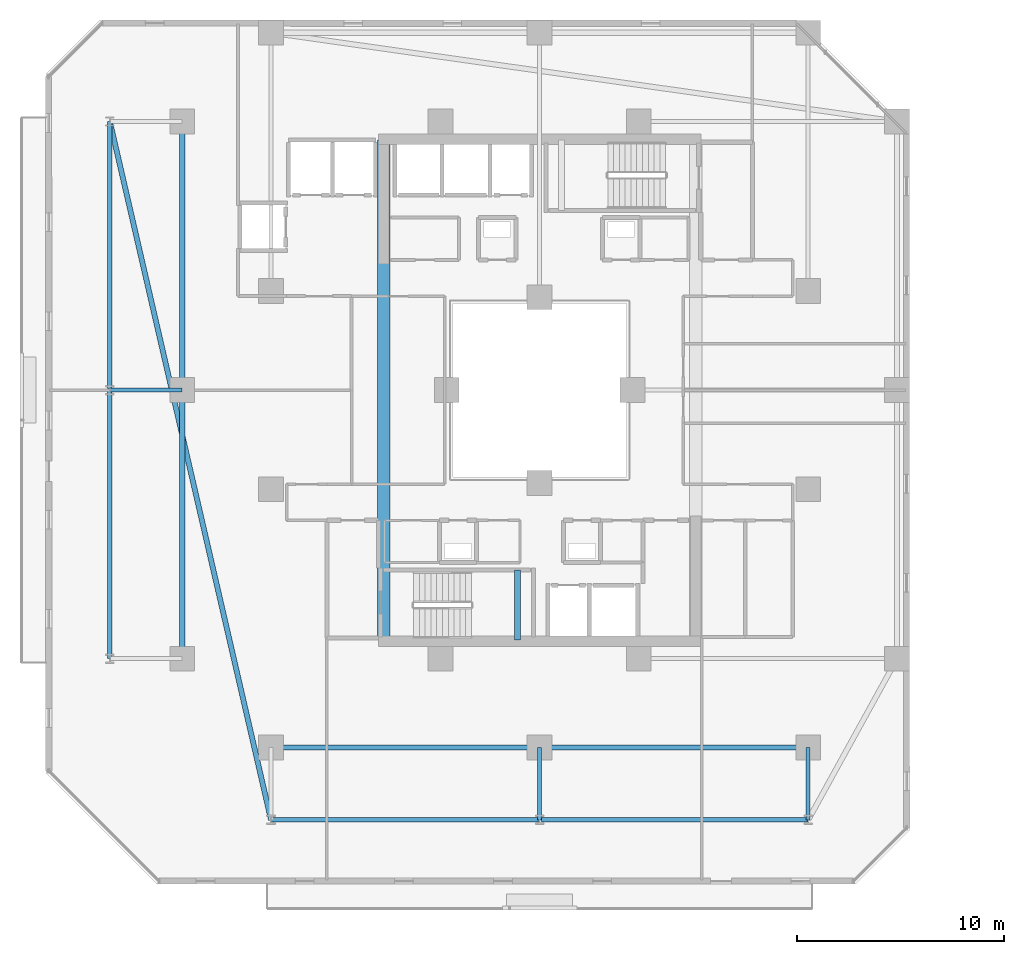
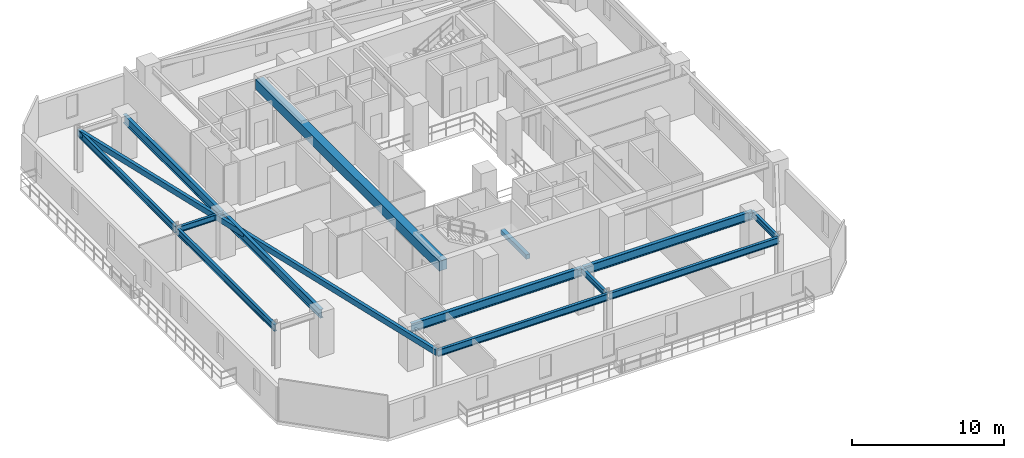
# One storey, part 4 of 33: 14 beams.
"""IFC4 building model written with IfcOpenShell, lengths in metres."""

from ifc_helpers import new_model, si_unit, direction, frame, origin, origin_2d, place, context, subcontext, project, spatial, rectangle, hollow_rectangle, i_section, extrude, material, material_profile, profile_set, type_object, element, save


model = new_model("IFC4")

# Units and contexts
model_context = context("Model", 3, precision=1e-05, world=origin(), true_north=direction((0.0, 1.0)))
body_context = subcontext(model_context, "Body", "Model", "MODEL_VIEW")
ifc_project = project(units=[si_unit("LENGTHUNIT", "METRE"), si_unit("AREAUNIT", "SQUARE_METRE"), si_unit("VOLUMEUNIT", "CUBIC_METRE"), si_unit("PLANEANGLEUNIT", "RADIAN"), si_unit("MASSUNIT", "GRAM", prefix="KILO")], contexts=[model_context])

# Site, building, storey
site_placement = place(None, origin())
site = spatial("IfcSite", under=ifc_project, at=site_placement, CompositionType="ELEMENT")
building_placement = place(site_placement, origin())
building = spatial("IfcBuilding", under=site, at=building_placement, Name="Thornwick Lancets Civic Towers", CompositionType="ELEMENT")
storey_placement = place(building_placement, frame((0.0, 0.0, 130.5)))
storey = spatial("IfcBuildingStorey", under=building, at=storey_placement, Name="L34", CompositionType="ELEMENT", Elevation=130.5)

# Beams
ifc_material_1 = material(Name="Concrete C60/75", Category="concrete")
ifc_material_profile_1 = material_profile(ifc_material_1, rectangle(XDim=0.60009765625, YDim=0.800048828125, at=origin_2d()), Name="RC 600x800")
ifc_profile_set_1 = profile_set([ifc_material_profile_1], Name="Concrete C60/75")
beam_type_1 = type_object("IfcBeamType", Name="BM_COUP_RC800", PredefinedType="BEAM", material=ifc_profile_set_1)
beam_1_placement = place(storey_placement, frame((17.949951171875, 14.89990234375, 2.9599609375), z_axis=(0.0, 1.0, 0.0), x_axis=(-1.0, 0.0, 0.0)))
element("IfcBeam", 1, at=beam_1_placement, inside=storey, type_object=beam_type_1, Name="CB-L34-A2", PredefinedType="BEAM", context=body_context, shape_type="SweptSolid", body=[
    extrude(rectangle(XDim=0.60009765625, YDim=0.800048828125, at=origin_2d()), origin(), (0.0, 0.0, 1.0), 24.2001953125),
])
ifc_material_2 = material(Name="Steel S355JR", Category="steel")
ifc_material_profile_2 = material_profile(ifc_material_2, i_section(OverallWidth=0.2119140625, OverallDepth=0.54443359375, WebThickness=0.0126953125, FlangeThickness=0.021240234375, FilletRadius=0.0126953125, at=origin_2d()), Name="UKB 533x210x122")
ifc_profile_set_2 = profile_set([ifc_material_profile_2], Name="Steel S355JR")
beam_type_2 = type_object("IfcBeamType", Name="BM_EDGE_533_122", PredefinedType="SPANDREL", material=ifc_profile_set_2)
beam_2_placement = place(storey_placement, frame((12.5, 6.199951171875, 3.087646484375), z_axis=(1.0, 0.0, 0.0), x_axis=(0.0, 1.0, 0.0)))
element("IfcBeam", 2, at=beam_2_placement, inside=storey, type_object=beam_type_2, Name="BM-EDGE-L34-A-S0-1", PredefinedType="SPANDREL", context=body_context, shape_type="SweptSolid", body=[
    extrude(i_section(OverallWidth=0.2119140625, OverallDepth=0.54443359375, WebThickness=0.0126953125, FlangeThickness=0.021240234375, FilletRadius=0.0126953125, at=origin_2d()), origin(), (0.0, 0.0, 1.0), 13.0),
])
beam_3_placement = place(storey_placement, frame((25.580078125, 6.199951171875, 3.087646484375), z_axis=(1.0, 0.0, 0.0), x_axis=(0.0, 1.0, 0.0)))
element("IfcBeam", 3, at=beam_3_placement, inside=storey, type_object=beam_type_2, Name="BM-EDGE-L34-A-S0-2", PredefinedType="SPANDREL", context=body_context, shape_type="SweptSolid", body=[
    extrude(i_section(OverallWidth=0.2119140625, OverallDepth=0.54443359375, WebThickness=0.0126953125, FlangeThickness=0.021240234375, FilletRadius=0.0126953125, at=origin_2d()), origin(), (0.0, 0.0, 1.0), 12.919921875),
])
beam_4_placement = place(storey_placement, frame((4.699951171875, 14.0, 3.087646484375), z_axis=(0.0, 1.0, 0.0), x_axis=(-1.0, 0.0, 0.0)))
element("IfcBeam", 4, at=beam_4_placement, inside=storey, type_object=beam_type_2, Name="BM-EDGE-L34-A-S3-1", PredefinedType="SPANDREL", context=body_context, shape_type="SweptSolid", body=[
    extrude(i_section(OverallWidth=0.2119140625, OverallDepth=0.54443359375, WebThickness=0.0126953125, FlangeThickness=0.021240234375, FilletRadius=0.0126953125, at=origin_2d()), origin(), (0.0, 0.0, 1.0), 13.0),
])
beam_5_placement = place(storey_placement, frame((4.699951171875, 27.080078125, 3.087646484375), z_axis=(0.0, 1.0, 0.0), x_axis=(-1.0, 0.0, 0.0)))
element("IfcBeam", 5, at=beam_5_placement, inside=storey, type_object=beam_type_2, Name="BM-EDGE-L34-A-S3-2", PredefinedType="SPANDREL", context=body_context, shape_type="SweptSolid", body=[
    extrude(i_section(OverallWidth=0.2119140625, OverallDepth=0.54443359375, WebThickness=0.0126953125, FlangeThickness=0.021240234375, FilletRadius=0.0126953125, at=origin_2d()), origin(), (0.0, 0.0, 1.0), 12.919921875),
])
ifc_material_profile_3 = material_profile(ifc_material_2, i_section(OverallWidth=0.255859375, OverallDepth=0.69287109375, WebThickness=0.014404296875, FlangeThickness=0.023681640625, FilletRadius=0.01513671875, at=origin_2d()), Name="UKB 686x254x170")
ifc_profile_set_3 = profile_set([ifc_material_profile_3], Name="Steel S355JR")
beam_type_3 = type_object("IfcBeamType", Name="BM_GIRD_686_170", PredefinedType="BEAM", material=ifc_profile_set_3)
beam_6_placement = place(storey_placement, frame((12.5, 9.699951171875, 3.013671875), z_axis=(1.0, 0.0, 0.0), x_axis=(0.0, 1.0, 0.0)))
element("IfcBeam", 6, at=beam_6_placement, inside=storey, type_object=beam_type_3, Name="BM-SPINE-L34-A-0-1", PredefinedType="BEAM", context=body_context, shape_type="SweptSolid", body=[
    extrude(i_section(OverallWidth=0.255859375, OverallDepth=0.69287109375, WebThickness=0.014404296875, FlangeThickness=0.023681640625, FilletRadius=0.01513671875, at=origin_2d()), origin(), (0.0, 0.0, 1.0), 13.0),
])
beam_7_placement = place(storey_placement, frame((25.580078125, 9.699951171875, 3.013671875), z_axis=(1.0, 0.0, 0.0), x_axis=(0.0, 1.0, 0.0)))
element("IfcBeam", 7, at=beam_7_placement, inside=storey, type_object=beam_type_3, Name="BM-SPINE-L34-A-1-2", PredefinedType="BEAM", context=body_context, shape_type="SweptSolid", body=[
    extrude(i_section(OverallWidth=0.255859375, OverallDepth=0.69287109375, WebThickness=0.014404296875, FlangeThickness=0.023681640625, FilletRadius=0.01513671875, at=origin_2d()), origin(), (0.0, 0.0, 1.0), 12.919921875),
])
beam_8_placement = place(storey_placement, frame((8.199951171875, 14.0, 3.013671875), z_axis=(0.0, 1.0, 0.0), x_axis=(-1.0, 0.0, 0.0)))
element("IfcBeam", 8, at=beam_8_placement, inside=storey, type_object=beam_type_3, Name="BM-SPINE-L34-A-9-10", PredefinedType="BEAM", context=body_context, shape_type="SweptSolid", body=[
    extrude(i_section(OverallWidth=0.255859375, OverallDepth=0.69287109375, WebThickness=0.014404296875, FlangeThickness=0.023681640625, FilletRadius=0.01513671875, at=origin_2d()), origin(), (0.0, 0.0, 1.0), 13.0),
])
beam_9_placement = place(storey_placement, frame((8.199951171875, 27.080078125, 3.013671875), z_axis=(0.0, 1.0, 0.0), x_axis=(-1.0, 0.0, 0.0)))
element("IfcBeam", 9, at=beam_9_placement, inside=storey, type_object=beam_type_3, Name="BM-SPINE-L34-A-10-11", PredefinedType="BEAM", context=body_context, shape_type="SweptSolid", body=[
    extrude(i_section(OverallWidth=0.255859375, OverallDepth=0.69287109375, WebThickness=0.014404296875, FlangeThickness=0.023681640625, FilletRadius=0.01513671875, at=origin_2d()), origin(), (0.0, 0.0, 1.0), 12.919921875),
])
ifc_material_profile_4 = material_profile(ifc_material_2, i_section(OverallWidth=0.19287109375, OverallDepth=0.46728515625, WebThickness=0.011474609375, FlangeThickness=0.01953125, FilletRadius=0.01025390625, at=origin_2d()), Name="UKB 457x191x98")
ifc_profile_set_4 = profile_set([ifc_material_profile_4], Name="Steel S355JR")
beam_type_4 = type_object("IfcBeamType", Name="BM_JOIST_457_98", PredefinedType="JOIST", material=ifc_profile_set_4)
for number, where, z_axis, x_axis, name in (
    (10, (25.5, 9.699951171875, 3.12646484375), (0.0, -1.0, 0.0), (1.0, 0.0, 0.0), "BM-RAD-L34-A02"),
    (11, (38.5, 9.699951171875, 3.12646484375), (0.0, -1.0, 0.0), (1.0, 0.0, 0.0), "BM-RAD-L34-A03"),
    (12, (8.199951171875, 27.0, 3.12646484375), (-1.0, 0.0, 0.0), (0.0, -1.0, 0.0), "BM-RAD-L34-A11"),
):
    element("IfcBeam", number, at=place(storey_placement, frame(where, z_axis=z_axis, x_axis=x_axis)), inside=storey, type_object=beam_type_4, Name=name, PredefinedType="JOIST", context=body_context, shape_type="SweptSolid", body=[
        extrude(i_section(OverallWidth=0.19287109375, OverallDepth=0.46728515625, WebThickness=0.011474609375, FlangeThickness=0.01953125, FilletRadius=0.01025390625, at=origin_2d()), origin(), (0.0, 0.0, 1.0), 3.5),
    ])
ifc_material_profile_5 = material_profile(ifc_material_2, hollow_rectangle(XDim=0.25, YDim=0.449951171875, WallThickness=0.01611328125, at=origin_2d()), Name="RHS 450x250x16")
ifc_profile_set_5 = profile_set([ifc_material_profile_5], Name="Steel S355JR")
beam_type_5 = type_object("IfcBeamType", Name="BM_RING_RHS450", PredefinedType="BEAM", material=ifc_profile_set_5)
beam_10_placement = place(storey_placement, frame((4.699951171875, 40.0, 3.135009765625), z_axis=(0.224860534737, -0.974390958454, 0.0), x_axis=(0.974390958454, 0.224860534737, 0.0)))
element("IfcBeam", 13, at=beam_10_placement, inside=storey, type_object=beam_type_5, Name="BM-CHAMF-L34-A-C3", PredefinedType="BEAM", context=body_context, shape_type="SweptSolid", body=[
    extrude(hollow_rectangle(XDim=0.25, YDim=0.449951171875, WallThickness=0.01611328125, at=origin_2d()), origin(), (0.0, 0.0, 1.0), 34.6884765625),
])
ifc_material_3 = material(Name="Concrete C40/50", Category="concrete")
ifc_material_profile_6 = material_profile(ifc_material_3, rectangle(XDim=0.300048828125, YDim=0.35009765625, at=origin_2d()), Name="RC 300x350")
ifc_profile_set_6 = profile_set([ifc_material_profile_6], Name="Concrete C40/50")
beam_type_6 = type_object("IfcBeamType", Name="BM_STAIR_LDG", PredefinedType="BEAM", material=ifc_profile_set_6)
beam_11_placement = place(storey_placement, frame((24.43505859375, 14.89990234375, 1.3779296875), z_axis=(0.0, 1.0, 0.0), x_axis=(-1.0, 0.0, 0.0)))
element("IfcBeam", 14, at=beam_11_placement, inside=storey, type_object=beam_type_6, Name="L34 ST-A1 Landing Support Beam 1", PredefinedType="BEAM", context=body_context, shape_type="SweptSolid", body=[
    extrude(rectangle(XDim=0.300048828125, YDim=0.35009765625, at=origin_2d()), origin(), (0.0, 0.0, 1.0), 3.400146484375),
])

save(model, "model.ifc")
